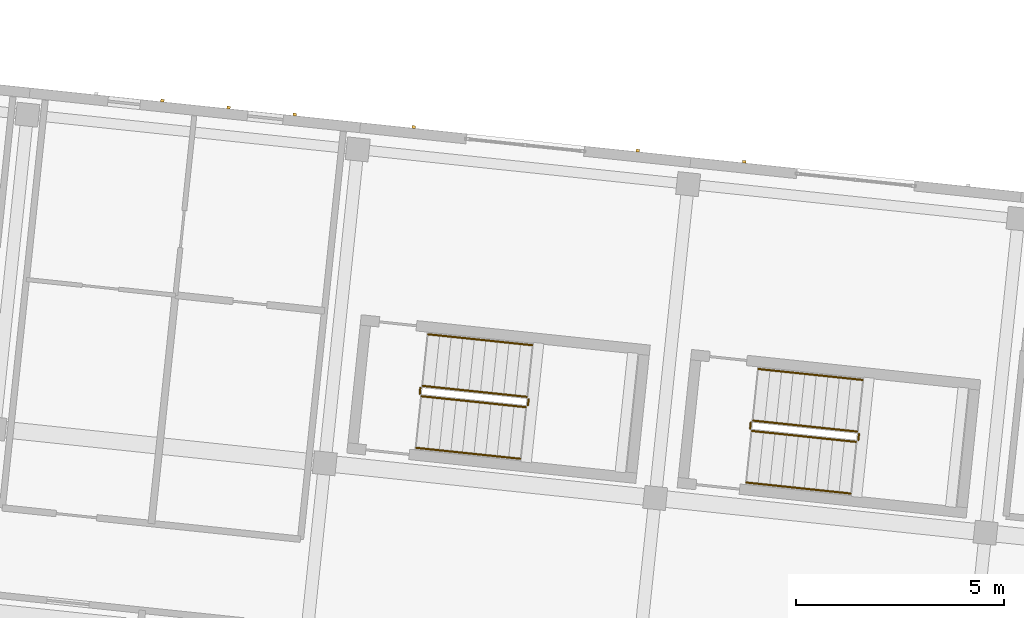
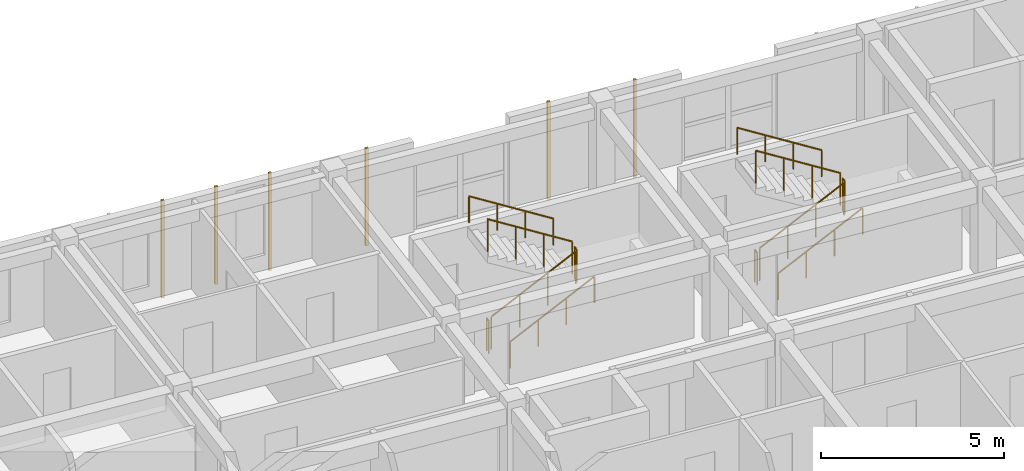
# One storey, part 65 of 66: 12 railings, 6 coverings.
"""IFC4 building model written with IfcOpenShell, lengths in metres."""

from ifc_helpers import new_model, si_unit, direction, frame, origin, origin_2d, place, context, subcontext, project, spatial, rectangle, circle, extrude, material, layer, layer_set, type_object, element, save


model = new_model("IFC4")

# Units and contexts
model_context = context("Model", 3, precision=1e-05, world=origin(), true_north=direction((0.0, 1.0)))
body_context = subcontext(model_context, "Body", "Model", "MODEL_VIEW")
ifc_project = project(units=[si_unit("LENGTHUNIT", "METRE"), si_unit("AREAUNIT", "SQUARE_METRE"), si_unit("VOLUMEUNIT", "CUBIC_METRE"), si_unit("PLANEANGLEUNIT", "RADIAN"), si_unit("MASSUNIT", "GRAM", prefix="KILO")], contexts=[model_context])

# Site, building, storey
site_placement = place(None, origin())
site = spatial("IfcSite", under=ifc_project, at=site_placement, CompositionType="ELEMENT")
building_placement = place(site_placement, origin())
building = spatial("IfcBuilding", under=site, at=building_placement, Name="Kestramere Prow Commons", CompositionType="ELEMENT")
storey_placement = place(building_placement, frame((0.0, 0.0, 14.89990234375)))
storey = spatial("IfcBuildingStorey", under=building, at=storey_placement, Name="L04", CompositionType="ELEMENT", Elevation=14.89990234375)

# Coverings
ifc_material_1 = material(Name="Weathered Zinc-Titanium Standing-Seam Cladding")
ifc_layer = layer(ifc_material_1, 0.074951171875)
ifc_layer_set = layer_set([ifc_layer], Name="Weathered Zinc-Titanium Standing-Seam Cladding")
covering_type = type_object("IfcCoveringType", Name="COV-CLAD-SEAM", PredefinedType="CLADDING", material=ifc_layer_set)
for number, where, z_axis, x_axis, name in (
    (1, (131.21435546875, 112.95947265625, -0.25), (0.0, 0.0, 1.0), (0.994521895368, -0.104528463268, 0.0), "EW-B-L04-N-2 Standing-Seam Rib 2"),
    (2, (132.8056640625, 112.792236328125, -0.25), (0.0, 0.0, 1.0), (0.994521895368, -0.104528463268, 0.0), "EW-B-L04-N-2 Standing-Seam Rib 3"),
    (3, (134.39697265625, 112.625, -0.25), (0.0, 0.0, 1.0), (0.994521895368, -0.104528463268, 0.0), "EW-B-L04-N-2 Standing-Seam Rib 4"),
    (4, (137.2685546875, 112.3232421875, -0.25), (0.0, 0.0, 1.0), (0.994521895368, -0.104528463268, 0.0), "EW-B-L04-NP-3-L Standing-Seam Rib 1"),
    (5, (142.663818359375, 111.756103515625, -0.25), (0.0, 0.0, 1.0), (0.994521895368, -0.104528463268, 0.0), "EW-B-L04-NP-3-R Standing-Seam Rib 1"),
    (6, (145.224609375, 111.48681640625, -0.25), (0.0, 0.0, 1.0), (0.994521895368, -0.104528463268, 0.0), "EW-B-L04-NP-4-L Standing-Seam Rib 1"),
):
    element("IfcCovering", number, at=place(storey_placement, frame(where, z_axis=z_axis, x_axis=x_axis)), inside=storey, type_object=covering_type, Name=name, PredefinedType="CLADDING", context=body_context, shape_type="SweptSolid", body=[
        extrude(rectangle(XDim=0.0849609375, YDim=0.06494140625, at=origin_2d()), origin(), (0.0, 0.0, 1.0), 3.25),
    ])

# Railings
ifc_material_2 = material(Name="Galvanised Steel S275JR", Category="steel")
railing_type_1 = type_object("IfcRailingType", Name="RL-ST-GR-1100", PredefinedType="GUARDRAIL", material=ifc_material_2)
railing_1_placement = place(storey_placement, frame((137.454345703125, 105.8408203125, 0.16259765625)))
element("IfcRailing", 7, at=railing_1_placement, inside=storey, type_object=railing_type_1, Name="L04 ST-B1 stair guard 1", PredefinedType="GUARDRAIL", context=body_context, shape_type="SweptSolid", body=[
    extrude(circle(Radius=0.02392578125, at=origin_2d()), frame((0.0, 0.0, 1.076171875), z_axis=(0.860186756994, -0.09040926464, 0.501901293044), x_axis=(0.104528455675, 0.994521896166, 0.0)), (0.0, 0.0, 1.0), 2.913818359375),
    extrude(circle(Radius=0.02099609375, at=origin_2d()), origin(), (0.0, 0.0, 1.0), 1.052001953125),
    extrude(circle(Radius=0.02099609375, at=origin_2d()), frame((0.83544921875, -0.087890625, 0.487548828125)), (0.0, 0.0, 1.0), 1.052001953125),
    extrude(circle(Radius=0.02099609375, at=origin_2d()), frame((1.6708984375, -0.175537109375, 0.974853515625)), (0.0, 0.0, 1.0), 1.052001953125),
    extrude(circle(Radius=0.02099609375, at=origin_2d()), frame((2.50634765625, -0.263427734375, 1.46240234375)), (0.0, 0.0, 1.0), 1.052001953125),
])
railing_2_placement = place(storey_placement, frame((140.015625, 105.621826171875, 1.625)))
element("IfcRailing", 8, at=railing_2_placement, inside=storey, type_object=railing_type_1, Name="L04 ST-B1 stair guard 2", PredefinedType="GUARDRAIL", context=body_context, shape_type="SweptSolid", body=[
    extrude(circle(Radius=0.02392578125, at=origin_2d()), frame((0.0, 0.0, 1.076171875), z_axis=(0.104176375855, 0.994558838236, 0.0), x_axis=(-0.994558838236, 0.104176375855, 0.0)), (0.0, 0.0, 1.0), 0.14990234375),
    extrude(circle(Radius=0.02099609375, at=origin_2d()), origin(), (0.0, 0.0, 1.0), 1.052001953125),
    extrude(circle(Radius=0.02099609375, at=origin_2d()), frame((0.015625, 0.149169921875, 0.0)), (0.0, 0.0, 1.0), 1.052001953125),
])
railing_3_placement = place(storey_placement, frame((139.98681640625, 105.825927734375, 1.78759765625)))
element("IfcRailing", 9, at=railing_3_placement, inside=storey, type_object=railing_type_1, Name="L04 ST-B1 stair guard 3", PredefinedType="GUARDRAIL", context=body_context, shape_type="SweptSolid", body=[
    extrude(circle(Radius=0.02392578125, at=origin_2d()), frame((0.0, 0.0, 1.076171875), z_axis=(-0.860164962675, 0.090415781269, 0.501937469695), x_axis=(-0.104538527394, -0.994520837534, 0.0)), (0.0, 0.0, 1.0), 2.91357421875),
    extrude(circle(Radius=0.02099609375, at=origin_2d()), origin(), (0.0, 0.0, 1.0), 1.052001953125),
    extrude(circle(Radius=0.02099609375, at=origin_2d()), frame((-0.83544921875, 0.087890625, 0.487548828125)), (0.0, 0.0, 1.0), 1.052001953125),
    extrude(circle(Radius=0.02099609375, at=origin_2d()), frame((-1.670654296875, 0.175537109375, 0.974853515625)), (0.0, 0.0, 1.0), 1.052001953125),
    extrude(circle(Radius=0.02099609375, at=origin_2d()), frame((-2.506103515625, 0.263427734375, 1.46240234375)), (0.0, 0.0, 1.0), 1.052001953125),
])
railing_4_placement = place(storey_placement, frame((137.409912109375, 105.895751953125, 0.0)))
element("IfcRailing", 10, at=railing_4_placement, inside=storey, type_object=railing_type_1, Name="L04 ST-B1 stair guard 4", PredefinedType="GUARDRAIL", context=body_context, shape_type="SweptSolid", body=[
    extrude(circle(Radius=0.02392578125, at=origin_2d()), frame((0.0, 0.0, 1.076171875), z_axis=(0.104176375855, 0.994558838236, 0.0), x_axis=(-0.994558838236, 0.104176375855, 0.0)), (0.0, 0.0, 1.0), 0.14990234375),
    extrude(circle(Radius=0.02099609375, at=origin_2d()), origin(), (0.0, 0.0, 1.0), 1.052001953125),
    extrude(circle(Radius=0.02099609375, at=origin_2d()), frame((0.015625, 0.149169921875, 0.0)), (0.0, 0.0, 1.0), 1.052001953125),
])
railing_5_placement = place(storey_placement, frame((145.41064453125, 105.00439453125, 0.16259765625)))
element("IfcRailing", 11, at=railing_5_placement, inside=storey, type_object=railing_type_1, Name="L04 ST-B2 stair guard 1", PredefinedType="GUARDRAIL", context=body_context, shape_type="SweptSolid", body=[
    extrude(circle(Radius=0.02392578125, at=origin_2d()), frame((0.0, 0.0, 1.076171875), z_axis=(0.860164962675, -0.090415781269, 0.501937469695), x_axis=(0.104538527394, 0.994520837534, 0.0)), (0.0, 0.0, 1.0), 2.91357421875),
    extrude(circle(Radius=0.02099609375, at=origin_2d()), origin(), (0.0, 0.0, 1.0), 1.052001953125),
    extrude(circle(Radius=0.02099609375, at=origin_2d()), frame((0.83544921875, -0.087890625, 0.487548828125)), (0.0, 0.0, 1.0), 1.052001953125),
    extrude(circle(Radius=0.02099609375, at=origin_2d()), frame((1.670654296875, -0.175537109375, 0.974853515625)), (0.0, 0.0, 1.0), 1.052001953125),
    extrude(circle(Radius=0.02099609375, at=origin_2d()), frame((2.506103515625, -0.263427734375, 1.46240234375)), (0.0, 0.0, 1.0), 1.052001953125),
])
railing_6_placement = place(storey_placement, frame((147.9716796875, 104.78564453125, 1.625)))
element("IfcRailing", 12, at=railing_6_placement, inside=storey, type_object=railing_type_1, Name="L04 ST-B2 stair guard 2", PredefinedType="GUARDRAIL", context=body_context, shape_type="SweptSolid", body=[
    extrude(circle(Radius=0.02392578125, at=origin_2d()), frame((0.0, 0.0, 1.076171875), z_axis=(0.105786054594, 0.994388913179, 0.0), x_axis=(-0.994388913179, 0.105786054594, 0.0)), (0.0, 0.0, 1.0), 0.14990234375),
    extrude(circle(Radius=0.02099609375, at=origin_2d()), origin(), (0.0, 0.0, 1.0), 1.052001953125),
    extrude(circle(Radius=0.02099609375, at=origin_2d()), frame((0.015869140625, 0.149169921875, 0.0)), (0.0, 0.0, 1.0), 1.052001953125),
])
railing_7_placement = place(storey_placement, frame((147.94287109375, 104.98974609375, 1.78759765625)))
element("IfcRailing", 13, at=railing_7_placement, inside=storey, type_object=railing_type_1, Name="L04 ST-B2 stair guard 3", PredefinedType="GUARDRAIL", context=body_context, shape_type="SweptSolid", body=[
    extrude(circle(Radius=0.02392578125, at=origin_2d()), frame((0.0, 0.0, 1.076171875), z_axis=(-0.860164962675, 0.090415781269, 0.501937469695), x_axis=(-0.104538527394, -0.994520837534, 0.0)), (0.0, 0.0, 1.0), 2.91357421875),
    extrude(circle(Radius=0.02099609375, at=origin_2d()), origin(), (0.0, 0.0, 1.0), 1.052001953125),
    extrude(circle(Radius=0.02099609375, at=origin_2d()), frame((-0.83544921875, 0.087890625, 0.487548828125)), (0.0, 0.0, 1.0), 1.052001953125),
    extrude(circle(Radius=0.02099609375, at=origin_2d()), frame((-1.670654296875, 0.175537109375, 0.974853515625)), (0.0, 0.0, 1.0), 1.052001953125),
    extrude(circle(Radius=0.02099609375, at=origin_2d()), frame((-2.506103515625, 0.263427734375, 1.46240234375)), (0.0, 0.0, 1.0), 1.052001953125),
])
railing_8_placement = place(storey_placement, frame((145.3662109375, 105.059326171875, 0.0)))
element("IfcRailing", 14, at=railing_8_placement, inside=storey, type_object=railing_type_1, Name="L04 ST-B2 stair guard 4", PredefinedType="GUARDRAIL", context=body_context, shape_type="SweptSolid", body=[
    extrude(circle(Radius=0.02392578125, at=origin_2d()), frame((0.0, 0.0, 1.076171875), z_axis=(0.104176375855, 0.994558838236, 0.0), x_axis=(-0.994558838236, 0.104176375855, 0.0)), (0.0, 0.0, 1.0), 0.14990234375),
    extrude(circle(Radius=0.02099609375, at=origin_2d()), origin(), (0.0, 0.0, 1.0), 1.052001953125),
    extrude(circle(Radius=0.02099609375, at=origin_2d()), frame((0.015625, 0.149169921875, 0.0)), (0.0, 0.0, 1.0), 1.052001953125),
])
ifc_material_3 = material(Name="Stainless Steel 304", Category="steel")
railing_type_2 = type_object("IfcRailingType", Name="RL-ST-HR-900", PredefinedType="HANDRAIL", material=ifc_material_3)
railing_9_placement = place(storey_placement, frame((137.32373046875, 104.59765625, 0.3251953125)))
element("IfcRailing", 15, at=railing_9_placement, inside=storey, type_object=railing_type_2, Name="L04 ST-B1 stair handrail 1", PredefinedType="HANDRAIL", context=body_context, shape_type="SweptSolid", body=[
    extrude(circle(Radius=0.02392578125, at=origin_2d()), frame((0.0, 0.0, 0.8759765625), z_axis=(0.860186756994, -0.09040926464, 0.501901293044), x_axis=(0.104528455675, 0.994521896166, 0.0)), (0.0, 0.0, 1.0), 2.913818359375),
    extrude(circle(Radius=0.02099609375, at=origin_2d()), origin(), (0.0, 0.0, 1.0), 0.851806640625),
    extrude(circle(Radius=0.02099609375, at=origin_2d()), frame((0.83544921875, -0.087890625, 0.487548828125)), (0.0, 0.0, 1.0), 0.851806640625),
    extrude(circle(Radius=0.02099609375, at=origin_2d()), frame((1.6708984375, -0.175537109375, 0.974853515625)), (0.0, 0.0, 1.0), 0.851806640625),
    extrude(circle(Radius=0.02099609375, at=origin_2d()), frame((2.50634765625, -0.263427734375, 1.46240234375)), (0.0, 0.0, 1.0), 0.851806640625),
])
railing_10_placement = place(storey_placement, frame((140.117431640625, 107.069091796875, 1.9501953125)))
element("IfcRailing", 16, at=railing_10_placement, inside=storey, type_object=railing_type_2, Name="L04 ST-B1 stair handrail 2", PredefinedType="HANDRAIL", context=body_context, shape_type="SweptSolid", body=[
    extrude(circle(Radius=0.02392578125, at=origin_2d()), frame((0.0, 0.0, 0.8759765625), z_axis=(-0.860164962675, 0.090415781269, 0.501937469695), x_axis=(-0.104538527394, -0.994520837534, 0.0)), (0.0, 0.0, 1.0), 2.91357421875),
    extrude(circle(Radius=0.02099609375, at=origin_2d()), origin(), (0.0, 0.0, 1.0), 0.851806640625),
    extrude(circle(Radius=0.02099609375, at=origin_2d()), frame((-0.83544921875, 0.087890625, 0.487548828125)), (0.0, 0.0, 1.0), 0.851806640625),
    extrude(circle(Radius=0.02099609375, at=origin_2d()), frame((-1.670654296875, 0.175537109375, 0.974853515625)), (0.0, 0.0, 1.0), 0.851806640625),
    extrude(circle(Radius=0.02099609375, at=origin_2d()), frame((-2.506103515625, 0.263427734375, 1.46240234375)), (0.0, 0.0, 1.0), 0.851806640625),
])
railing_11_placement = place(storey_placement, frame((145.280029296875, 103.76123046875, 0.3251953125)))
element("IfcRailing", 17, at=railing_11_placement, inside=storey, type_object=railing_type_2, Name="L04 ST-B2 stair handrail 1", PredefinedType="HANDRAIL", context=body_context, shape_type="SweptSolid", body=[
    extrude(circle(Radius=0.02392578125, at=origin_2d()), frame((0.0, 0.0, 0.8759765625), z_axis=(0.860164962675, -0.090415781269, 0.501937469695), x_axis=(0.104538527394, 0.994520837534, 0.0)), (0.0, 0.0, 1.0), 2.91357421875),
    extrude(circle(Radius=0.02099609375, at=origin_2d()), origin(), (0.0, 0.0, 1.0), 0.851806640625),
    extrude(circle(Radius=0.02099609375, at=origin_2d()), frame((0.83544921875, -0.087890625, 0.487548828125)), (0.0, 0.0, 1.0), 0.851806640625),
    extrude(circle(Radius=0.02099609375, at=origin_2d()), frame((1.670654296875, -0.175537109375, 0.974853515625)), (0.0, 0.0, 1.0), 0.851806640625),
    extrude(circle(Radius=0.02099609375, at=origin_2d()), frame((2.506103515625, -0.263427734375, 1.46240234375)), (0.0, 0.0, 1.0), 0.851806640625),
])
railing_12_placement = place(storey_placement, frame((148.07373046875, 106.23291015625, 1.9501953125)))
element("IfcRailing", 18, at=railing_12_placement, inside=storey, type_object=railing_type_2, Name="L04 ST-B2 stair handrail 2", PredefinedType="HANDRAIL", context=body_context, shape_type="SweptSolid", body=[
    extrude(circle(Radius=0.02392578125, at=origin_2d()), frame((0.0, 0.0, 0.8759765625), z_axis=(-0.860186756994, 0.09040926464, 0.501901293044), x_axis=(-0.104528455675, -0.994521896166, 0.0)), (0.0, 0.0, 1.0), 2.913818359375),
    extrude(circle(Radius=0.02099609375, at=origin_2d()), origin(), (0.0, 0.0, 1.0), 0.851806640625),
    extrude(circle(Radius=0.02099609375, at=origin_2d()), frame((-0.83544921875, 0.087890625, 0.487548828125)), (0.0, 0.0, 1.0), 0.851806640625),
    extrude(circle(Radius=0.02099609375, at=origin_2d()), frame((-1.6708984375, 0.175537109375, 0.974853515625)), (0.0, 0.0, 1.0), 0.851806640625),
    extrude(circle(Radius=0.02099609375, at=origin_2d()), frame((-2.50634765625, 0.263427734375, 1.46240234375)), (0.0, 0.0, 1.0), 0.851806640625),
])

save(model, "model.ifc")
